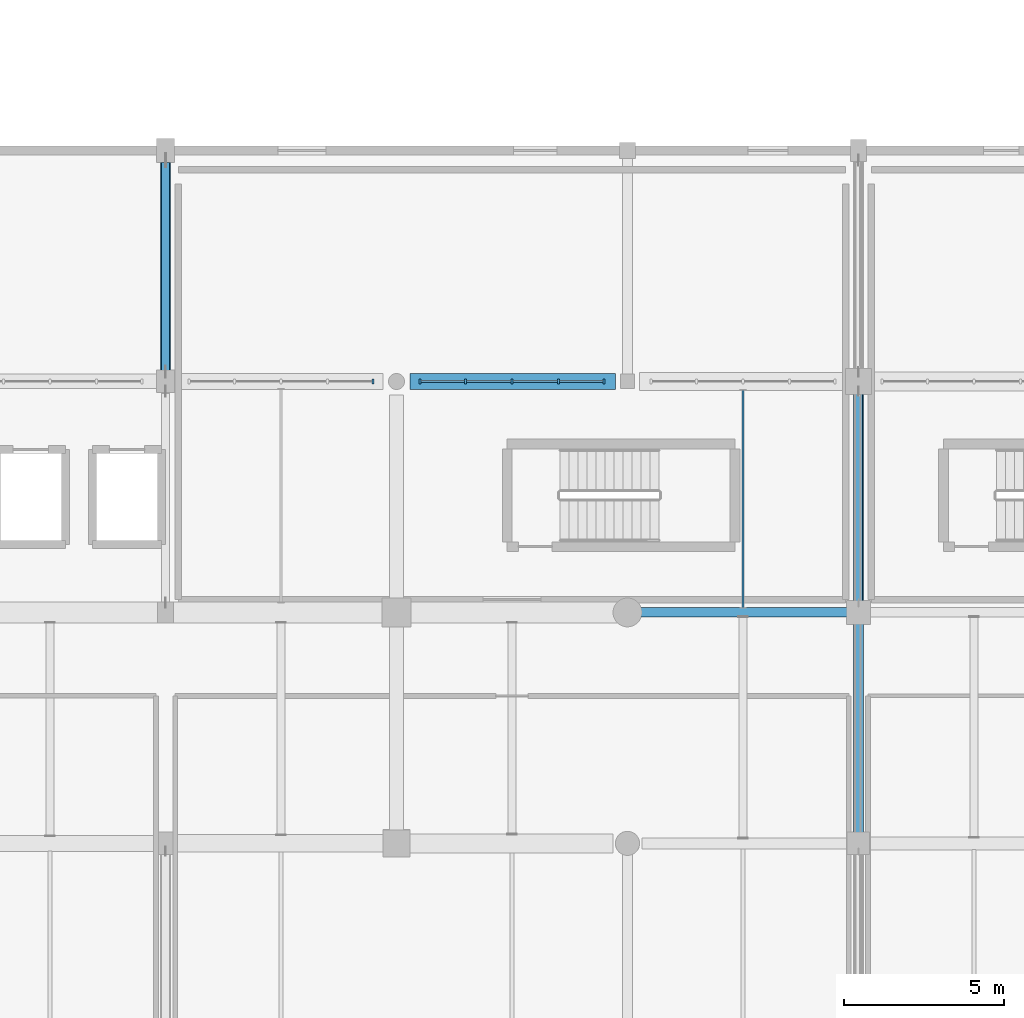
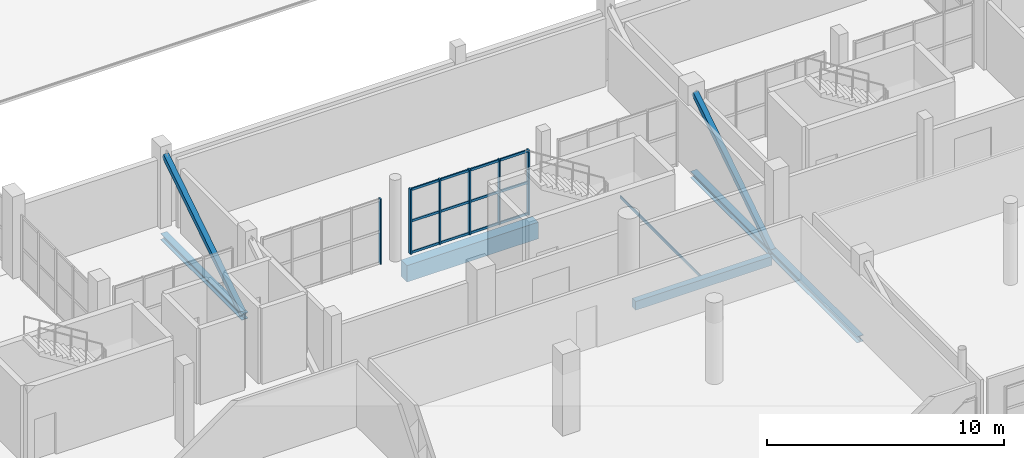
# One storey, part 31 of 90: 20 members, 5 beams, 2 elements without a shape of their own.
"""IFC4 building model written with IfcOpenShell, lengths in metres."""

from ifc_helpers import new_model, si_unit, direction, frame, origin, origin_2d, place, context, subcontext, project, spatial, rectangle, hollow_rectangle, i_section, extrude, material, material_profile, profile_set, type_object, element, aggregate, save


model = new_model("IFC4")

# Units and contexts
model_context = context("Model", 3, precision=1e-05, world=origin(), true_north=direction((0.0, 1.0)))
body_context = subcontext(model_context, "Body", "Model", "MODEL_VIEW")
ifc_project = project(units=[si_unit("LENGTHUNIT", "METRE"), si_unit("AREAUNIT", "SQUARE_METRE"), si_unit("VOLUMEUNIT", "CUBIC_METRE"), si_unit("PLANEANGLEUNIT", "RADIAN"), si_unit("MASSUNIT", "GRAM", prefix="KILO")], contexts=[model_context])

# Site, building, storey
site_placement = place(None, origin())
site = spatial("IfcSite", under=ifc_project, at=site_placement, CompositionType="ELEMENT")
building_placement = place(site_placement, origin())
building = spatial("IfcBuilding", under=site, at=building_placement, Name="Solanera Park Tramway Depot", CompositionType="ELEMENT")
storey_placement = place(building_placement, frame((0.0, 0.0, 9.0)))
storey = spatial("IfcBuildingStorey", under=building, at=storey_placement, Name="L02", CompositionType="ELEMENT", Elevation=9.0)

# Curtain wall, member
ifc_material_1 = material(Name="Bronze-anodised thermally broken aluminium curtain wall", Category="aluminium")
curtain_wall_type = type_object("IfcCurtainWallType", Name="Courtyard Cloister Unitised Curtain Wall", PredefinedType="NOTDEFINED", material=ifc_material_1)
curtain_wall_1_placement = place(storey_placement, origin())
curtain_wall_1 = element("IfcCurtainWall", 1, at=curtain_wall_1_placement, inside=storey, type_object=curtain_wall_type, Name="L02 Courtyard Cloister Unitised Curtain Wall #105", PredefinedType="NOTDEFINED")
ifc_material_2 = material(Name="Bronze-anodised structural aluminium 6063-T6", Category="aluminium")
ifc_material_profile_1 = material_profile(ifc_material_2, rectangle(XDim=0.06494140625, YDim=0.14990234375, at=origin_2d()), Name="Curtain Wall Mullion 65x150")
ifc_profile_set_1 = profile_set([ifc_material_profile_1], Name="Bronze-anodised structural aluminium 6063-T6")
member_type_1 = type_object("IfcMemberType", Name="Curtain Wall Mullion 65x150", PredefinedType="MULLION", material=ifc_profile_set_1)
member_1_placement = place(storey_placement, frame((136.0673828125, 25.199951171875, 0.0), z_axis=(0.0, 0.0, 1.0), x_axis=(1.0, 0.0, 0.0)))
member_1 = element("IfcMember", 2, at=member_1_placement, type_object=member_type_1, Name="CW-L02-105 Mullion 5", PredefinedType="MULLION", context=body_context, shape_type="SweptSolid", body=[
    extrude(rectangle(XDim=0.06494140625, YDim=0.14990234375, at=origin_2d()), origin(), (0.0, 0.0, 1.0), 3.35009765625),
])
aggregate(curtain_wall_1, [member_1])

# Curtain wall, members
curtain_wall_2_placement = place(storey_placement, origin())
curtain_wall_2 = element("IfcCurtainWall", 3, at=curtain_wall_2_placement, inside=storey, type_object=curtain_wall_type, Name="L02 Courtyard Cloister Unitised Curtain Wall #106", PredefinedType="NOTDEFINED")
member_2_placement = place(storey_placement, frame((137.532470703125, 25.199951171875, 0.0), z_axis=(0.0, 0.0, 1.0), x_axis=(1.0, 0.0, 0.0)))
member_2 = element("IfcMember", 4, at=member_2_placement, type_object=member_type_1, Name="CW-L02-106 Mullion 1", PredefinedType="MULLION", context=body_context, shape_type="SweptSolid", body=[
    extrude(rectangle(XDim=0.06494140625, YDim=0.14990234375, at=origin_2d()), origin(), (0.0, 0.0, 1.0), 3.35009765625),
])
member_3_placement = place(storey_placement, frame((138.949951171875, 25.199951171875, 0.0), z_axis=(0.0, 0.0, 1.0), x_axis=(1.0, 0.0, 0.0)))
member_3 = element("IfcMember", 5, at=member_3_placement, type_object=member_type_1, Name="CW-L02-106 Mullion 2", PredefinedType="MULLION", context=body_context, shape_type="SweptSolid", body=[
    extrude(rectangle(XDim=0.06494140625, YDim=0.14990234375, at=origin_2d()), origin(), (0.0, 0.0, 1.0), 3.35009765625),
])
member_4_placement = place(storey_placement, frame((140.39990234375, 25.199951171875, 0.0), z_axis=(0.0, 0.0, 1.0), x_axis=(1.0, 0.0, 0.0)))
member_4 = element("IfcMember", 6, at=member_4_placement, type_object=member_type_1, Name="CW-L02-106 Mullion 3", PredefinedType="MULLION", context=body_context, shape_type="SweptSolid", body=[
    extrude(rectangle(XDim=0.06494140625, YDim=0.14990234375, at=origin_2d()), origin(), (0.0, 0.0, 1.0), 3.35009765625),
])
member_5_placement = place(storey_placement, frame((141.85009765625, 25.199951171875, 0.0), z_axis=(0.0, 0.0, 1.0), x_axis=(1.0, 0.0, 0.0)))
member_5 = element("IfcMember", 7, at=member_5_placement, type_object=member_type_1, Name="CW-L02-106 Mullion 4", PredefinedType="MULLION", context=body_context, shape_type="SweptSolid", body=[
    extrude(rectangle(XDim=0.06494140625, YDim=0.14990234375, at=origin_2d()), origin(), (0.0, 0.0, 1.0), 3.35009765625),
])
member_6_placement = place(storey_placement, frame((143.267578125, 25.199951171875, 0.0), z_axis=(0.0, 0.0, 1.0), x_axis=(1.0, 0.0, 0.0)))
member_6 = element("IfcMember", 8, at=member_6_placement, type_object=member_type_1, Name="CW-L02-106 Mullion 5", PredefinedType="MULLION", context=body_context, shape_type="SweptSolid", body=[
    extrude(rectangle(XDim=0.06494140625, YDim=0.14990234375, at=origin_2d()), origin(), (0.0, 0.0, 1.0), 3.35009765625),
])
ifc_material_3 = material(Name="Bronze-anodised structural aluminium 6063-T6", Category="aluminium")
ifc_material_profile_2 = material_profile(ifc_material_3, rectangle(XDim=0.06494140625, YDim=0.1201171875, at=origin_2d()), Name="Curtain Wall Transom 65x120")
ifc_profile_set_2 = profile_set([ifc_material_profile_2], Name="Bronze-anodised structural aluminium 6063-T6")
member_type_2 = type_object("IfcMemberType", Name="Curtain Wall Transom 65x120", PredefinedType="USERDEFINED", material=ifc_profile_set_2)
member_7_placement = place(storey_placement, frame((137.560546875, 25.199951171875, 0.06005859375), z_axis=(1.0, 0.0, 0.0), x_axis=(0.0, 1.0, 0.0)))
member_7 = element("IfcMember", 9, at=member_7_placement, type_object=member_type_2, Name="CW-L02-106 Transom R1.C1", ObjectType="TRANSOM", PredefinedType="USERDEFINED", context=body_context, shape_type="SweptSolid", body=[
    extrude(rectangle(XDim=0.06494140625, YDim=0.1201171875, at=origin_2d()), origin(), (0.0, 0.0, 1.0), 1.361572265625),
])
member_8_placement = place(storey_placement, frame((138.97802734375, 25.199951171875, 0.06005859375), z_axis=(1.0, 0.0, 0.0), x_axis=(0.0, 1.0, 0.0)))
member_8 = element("IfcMember", 10, at=member_8_placement, type_object=member_type_2, Name="CW-L02-106 Transom R1.C2", ObjectType="TRANSOM", PredefinedType="USERDEFINED", context=body_context, shape_type="SweptSolid", body=[
    extrude(rectangle(XDim=0.06494140625, YDim=0.1201171875, at=origin_2d()), origin(), (0.0, 0.0, 1.0), 1.39404296875),
])
member_9_placement = place(storey_placement, frame((140.427978515625, 25.199951171875, 0.06005859375), z_axis=(1.0, 0.0, 0.0), x_axis=(0.0, 1.0, 0.0)))
member_9 = element("IfcMember", 11, at=member_9_placement, type_object=member_type_2, Name="CW-L02-106 Transom R1.C3", ObjectType="TRANSOM", PredefinedType="USERDEFINED", context=body_context, shape_type="SweptSolid", body=[
    extrude(rectangle(XDim=0.06494140625, YDim=0.1201171875, at=origin_2d()), origin(), (0.0, 0.0, 1.0), 1.39404296875),
])
member_10_placement = place(storey_placement, frame((141.8779296875, 25.199951171875, 0.06005859375), z_axis=(1.0, 0.0, 0.0), x_axis=(0.0, 1.0, 0.0)))
member_10 = element("IfcMember", 12, at=member_10_placement, type_object=member_type_2, Name="CW-L02-106 Transom R1.C4", ObjectType="TRANSOM", PredefinedType="USERDEFINED", context=body_context, shape_type="SweptSolid", body=[
    extrude(rectangle(XDim=0.06494140625, YDim=0.1201171875, at=origin_2d()), origin(), (0.0, 0.0, 1.0), 1.361572265625),
])
member_11_placement = place(storey_placement, frame((137.560546875, 25.199951171875, 1.675048828125), z_axis=(1.0, 0.0, 0.0), x_axis=(0.0, 1.0, 0.0)))
member_11 = element("IfcMember", 13, at=member_11_placement, type_object=member_type_2, Name="CW-L02-106 Transom R2.C1", ObjectType="TRANSOM", PredefinedType="USERDEFINED", context=body_context, shape_type="SweptSolid", body=[
    extrude(rectangle(XDim=0.06494140625, YDim=0.1201171875, at=origin_2d()), origin(), (0.0, 0.0, 1.0), 1.361572265625),
])
member_12_placement = place(storey_placement, frame((138.97802734375, 25.199951171875, 1.675048828125), z_axis=(1.0, 0.0, 0.0), x_axis=(0.0, 1.0, 0.0)))
member_12 = element("IfcMember", 14, at=member_12_placement, type_object=member_type_2, Name="CW-L02-106 Transom R2.C2", ObjectType="TRANSOM", PredefinedType="USERDEFINED", context=body_context, shape_type="SweptSolid", body=[
    extrude(rectangle(XDim=0.06494140625, YDim=0.1201171875, at=origin_2d()), origin(), (0.0, 0.0, 1.0), 1.39404296875),
])
member_13_placement = place(storey_placement, frame((140.427978515625, 25.199951171875, 1.675048828125), z_axis=(1.0, 0.0, 0.0), x_axis=(0.0, 1.0, 0.0)))
member_13 = element("IfcMember", 15, at=member_13_placement, type_object=member_type_2, Name="CW-L02-106 Transom R2.C3", ObjectType="TRANSOM", PredefinedType="USERDEFINED", context=body_context, shape_type="SweptSolid", body=[
    extrude(rectangle(XDim=0.06494140625, YDim=0.1201171875, at=origin_2d()), origin(), (0.0, 0.0, 1.0), 1.39404296875),
])
member_14_placement = place(storey_placement, frame((141.8779296875, 25.199951171875, 1.675048828125), z_axis=(1.0, 0.0, 0.0), x_axis=(0.0, 1.0, 0.0)))
member_14 = element("IfcMember", 16, at=member_14_placement, type_object=member_type_2, Name="CW-L02-106 Transom R2.C4", ObjectType="TRANSOM", PredefinedType="USERDEFINED", context=body_context, shape_type="SweptSolid", body=[
    extrude(rectangle(XDim=0.06494140625, YDim=0.1201171875, at=origin_2d()), origin(), (0.0, 0.0, 1.0), 1.361572265625),
])
member_15_placement = place(storey_placement, frame((137.560546875, 25.199951171875, 3.2900390625), z_axis=(1.0, 0.0, 0.0), x_axis=(0.0, 1.0, 0.0)))
member_15 = element("IfcMember", 17, at=member_15_placement, type_object=member_type_2, Name="CW-L02-106 Transom R3.C1", ObjectType="TRANSOM", PredefinedType="USERDEFINED", context=body_context, shape_type="SweptSolid", body=[
    extrude(rectangle(XDim=0.06494140625, YDim=0.1201171875, at=origin_2d()), origin(), (0.0, 0.0, 1.0), 1.361572265625),
])
member_16_placement = place(storey_placement, frame((138.97802734375, 25.199951171875, 3.2900390625), z_axis=(1.0, 0.0, 0.0), x_axis=(0.0, 1.0, 0.0)))
member_16 = element("IfcMember", 18, at=member_16_placement, type_object=member_type_2, Name="CW-L02-106 Transom R3.C2", ObjectType="TRANSOM", PredefinedType="USERDEFINED", context=body_context, shape_type="SweptSolid", body=[
    extrude(rectangle(XDim=0.06494140625, YDim=0.1201171875, at=origin_2d()), origin(), (0.0, 0.0, 1.0), 1.39404296875),
])
member_17_placement = place(storey_placement, frame((140.427978515625, 25.199951171875, 3.2900390625), z_axis=(1.0, 0.0, 0.0), x_axis=(0.0, 1.0, 0.0)))
member_17 = element("IfcMember", 19, at=member_17_placement, type_object=member_type_2, Name="CW-L02-106 Transom R3.C3", ObjectType="TRANSOM", PredefinedType="USERDEFINED", context=body_context, shape_type="SweptSolid", body=[
    extrude(rectangle(XDim=0.06494140625, YDim=0.1201171875, at=origin_2d()), origin(), (0.0, 0.0, 1.0), 1.39404296875),
])
member_18_placement = place(storey_placement, frame((141.8779296875, 25.199951171875, 3.2900390625), z_axis=(1.0, 0.0, 0.0), x_axis=(0.0, 1.0, 0.0)))
member_18 = element("IfcMember", 20, at=member_18_placement, type_object=member_type_2, Name="CW-L02-106 Transom R3.C4", ObjectType="TRANSOM", PredefinedType="USERDEFINED", context=body_context, shape_type="SweptSolid", body=[
    extrude(rectangle(XDim=0.06494140625, YDim=0.1201171875, at=origin_2d()), origin(), (0.0, 0.0, 1.0), 1.361572265625),
])
aggregate(curtain_wall_2, [member_2, member_3, member_4, member_5, member_6, member_7, member_8, member_9, member_10, member_11, member_12, member_13, member_14, member_15, member_16, member_17, member_18])

# Beams
ifc_material_4 = material(Name="Concrete N40 (C40/50)", Category="concrete")
ifc_material_profile_3 = material_profile(ifc_material_4, rectangle(XDim=0.300048828125, YDim=0.449951171875, at=origin_2d()), Name="RCB 300x450")
ifc_profile_set_3 = profile_set([ifc_material_profile_3], Name="Concrete N40 (C40/50)")
beam_type_1 = type_object("IfcBeamType", Name="RC Floor Beam RCB 300x450", PredefinedType="BEAM", material=ifc_profile_set_3)
beam_1_placement = place(storey_placement, frame((144.25, 18.0, -0.589111328125), z_axis=(1.0, 0.0, 0.0), x_axis=(0.0, 1.0, 0.0)))
element("IfcBeam", 21, at=beam_1_placement, inside=storey, type_object=beam_type_1, Name="L02 Primary X-Girder RCB 300x450 #0114", PredefinedType="BEAM", context=body_context, shape_type="SweptSolid", body=[
    extrude(rectangle(XDim=0.300048828125, YDim=0.449951171875, at=origin_2d()), origin(), (0.0, 0.0, 1.0), 6.625),
])
ifc_material_5 = material(Name="Concrete N40 (C40/50)", Category="concrete")
ifc_material_profile_4 = material_profile(ifc_material_5, rectangle(XDim=0.5, YDim=0.85009765625, at=origin_2d()), Name="RCB 500x850")
ifc_profile_set_4 = profile_set([ifc_material_profile_4], Name="Concrete N40 (C40/50)")
beam_type_2 = type_object("IfcBeamType", Name="RC Floor Beam RCB 500x850", PredefinedType="BEAM", material=ifc_profile_set_4)
beam_2_placement = place(storey_placement, frame((137.22509765625, 25.199951171875, -0.7890625), z_axis=(1.0, 0.0, 0.0), x_axis=(0.0, 1.0, 0.0)))
element("IfcBeam", 22, at=beam_2_placement, inside=storey, type_object=beam_type_2, Name="L02 Primary X-Girder RCB 500x850 #0124", PredefinedType="BEAM", context=body_context, shape_type="SweptSolid", body=[
    extrude(rectangle(XDim=0.5, YDim=0.85009765625, at=origin_2d()), origin(), (0.0, 0.0, 1.0), 6.39990234375),
])
ifc_material_6 = material(Name="Steel AS/NZS 3679.1 Grade 350", Category="steel")
ifc_material_profile_5 = material_profile(ifc_material_6, i_section(OverallWidth=0.310546875, OverallDepth=0.3271484375, WebThickness=0.015625, FlangeThickness=0.02490234375, at=origin_2d()), Name="310UC158")
ifc_profile_set_5 = profile_set([ifc_material_profile_5], Name="Steel AS/NZS 3679.1 Grade 350")
beam_type_3 = type_object("IfcBeamType", Name="Steel Beam 310UC158", PredefinedType="BEAM", material=ifc_profile_set_5)
beam_3_placement = place(storey_placement, frame((129.60009765625, 25.3798828125, -0.550048828125), z_axis=(0.0, 1.0, 0.0), x_axis=(-1.0, 0.0, 0.0)))
element("IfcBeam", 23, at=beam_3_placement, inside=storey, type_object=beam_type_3, Name="L02 Transfer Truss Backspan Chord 310UC158 #0312", PredefinedType="BEAM", context=body_context, shape_type="SweptSolid", body=[
    extrude(i_section(OverallWidth=0.310546875, OverallDepth=0.3271484375, WebThickness=0.015625, FlangeThickness=0.02490234375, at=origin_2d()), origin(), (0.0, 0.0, 1.0), 6.840087890625),
])
beam_4_placement = place(storey_placement, frame((151.199951171875, 10.97998046875, -0.550048828125), z_axis=(0.0, 1.0, 0.0), x_axis=(-1.0, 0.0, 0.0)))
element("IfcBeam", 24, at=beam_4_placement, inside=storey, type_object=beam_type_3, Name="L02 Transfer Truss Backspan Chord 310UC158 #0324", PredefinedType="BEAM", context=body_context, shape_type="SweptSolid", body=[
    extrude(i_section(OverallWidth=0.310546875, OverallDepth=0.3271484375, WebThickness=0.015625, FlangeThickness=0.02490234375, at=origin_2d()), origin(), (0.0, 0.0, 1.0), 14.0400390625),
])
ifc_material_7 = material(Name="Steel AS/NZS 1163 Grade C350L0", Category="steel")
ifc_material_profile_6 = material_profile(ifc_material_7, hollow_rectangle(XDim=0.050048828125, YDim=0.14990234375, WallThickness=0.0048828125, at=origin_2d()), Name="150x50x5.0 RHS")
ifc_profile_set_6 = profile_set([ifc_material_profile_6], Name="Steel AS/NZS 1163 Grade C350L0")
beam_type_4 = type_object("IfcBeamType", Name="Steel Joist Purlin 150x50x5.0 RHS", PredefinedType="JOIST", material=ifc_profile_set_6)
beam_5_placement = place(storey_placement, frame((147.60009765625, 18.14208984375, -0.43896484375), z_axis=(0.0, 1.0, 0.0), x_axis=(-1.0, 0.0, 0.0)))
element("IfcBeam", 25, at=beam_5_placement, inside=storey, type_object=beam_type_4, Name="L02 Secondary Floor Joist 150x50x5.0 RHS #0184", PredefinedType="JOIST", context=body_context, shape_type="SweptSolid", body=[
    extrude(hollow_rectangle(XDim=0.050048828125, YDim=0.14990234375, WallThickness=0.0048828125, at=origin_2d()), origin(), (0.0, 0.0, 1.0), 6.791015625),
])

# Members
ifc_material_8 = material(Name="Steel AS/NZS 1163 Grade C350L0", Category="steel")
ifc_material_profile_7 = material_profile(ifc_material_8, hollow_rectangle(XDim=0.25, YDim=0.25, WallThickness=0.010009765625, at=origin_2d()), Name="250x250x10.0 SHS")
ifc_profile_set_7 = profile_set([ifc_material_profile_7], Name="Steel AS/NZS 1163 Grade C350L0")
member_type_3 = type_object("IfcMemberType", Name="Truss and Frame Brace 250x250x10.0 SHS", PredefinedType="BRACE", material=ifc_profile_set_7)
member_19_placement = place(storey_placement, frame((129.60009765625, 25.5, -0.550048828125), z_axis=(0.0, 0.841928477143, 0.539589139416), x_axis=(-1.0, 0.0, 0.0)))
element("IfcMember", 26, at=member_19_placement, inside=storey, type_object=member_type_3, Name="Pratt Transfer Truss Web Diagonal #0003", PredefinedType="BRACE", context=body_context, shape_type="SweptSolid", body=[
    extrude(hollow_rectangle(XDim=0.25, YDim=0.25, WallThickness=0.010009765625, at=origin_2d()), origin(), (0.0, 0.0, 1.0), 7.83935546875),
])
member_20_placement = place(storey_placement, frame((151.199951171875, 18.300048828125, -0.550048828125), z_axis=(0.0, 0.841919409208, 0.539603287979), x_axis=(-1.0, 0.0, 0.0)))
element("IfcMember", 27, at=member_20_placement, inside=storey, type_object=member_type_3, Name="Pratt Transfer Truss Web Diagonal #0005", PredefinedType="BRACE", context=body_context, shape_type="SweptSolid", body=[
    extrude(hollow_rectangle(XDim=0.25, YDim=0.25, WallThickness=0.010009765625, at=origin_2d()), origin(), (0.0, 0.0, 1.0), 7.839111328125),
])

save(model, "model.ifc")
